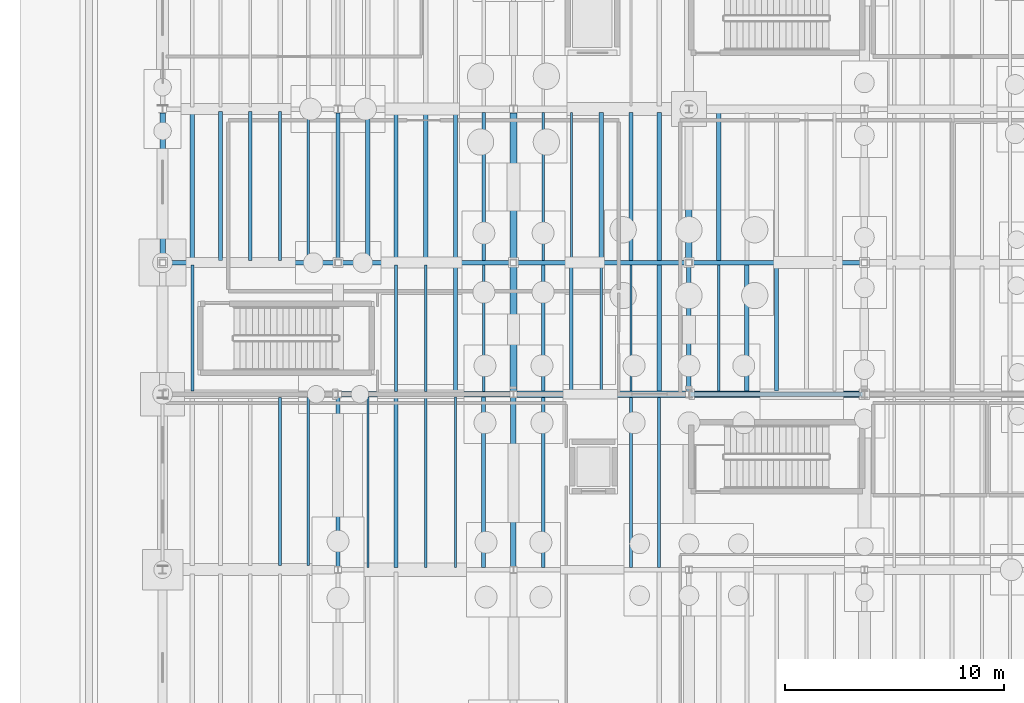
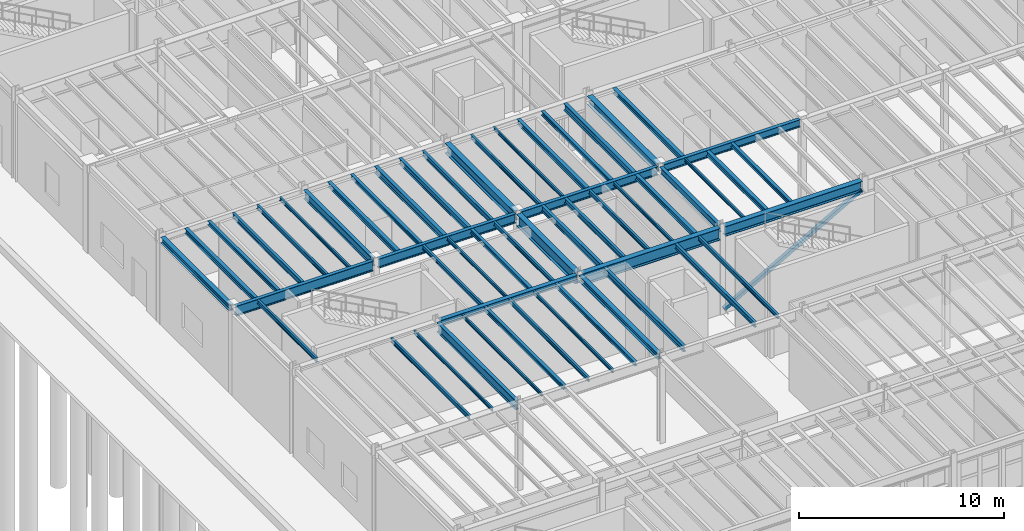
# One storey, part 26 of 86: 54 beams, 1 member.
"""IFC4 building model written with IfcOpenShell, lengths in metres."""

from ifc_helpers import new_model, si_unit, direction, frame, origin, origin_2d, place, context, subcontext, project, spatial, hollow_rectangle, i_section, extrude, material, material_profile, profile_set, type_object, element, save


model = new_model("IFC4")

# Units and contexts
model_context = context("Model", 3, precision=1e-05, world=origin(), true_north=direction((0.0, 1.0)))
body_context = subcontext(model_context, "Body", "Model", "MODEL_VIEW")
ifc_project = project(units=[si_unit("LENGTHUNIT", "METRE"), si_unit("AREAUNIT", "SQUARE_METRE"), si_unit("VOLUMEUNIT", "CUBIC_METRE"), si_unit("PLANEANGLEUNIT", "RADIAN"), si_unit("MASSUNIT", "GRAM", prefix="KILO"), si_unit("THERMODYNAMICTEMPERATUREUNIT", "KELVIN"), si_unit("POWERUNIT", "WATT")], contexts=[model_context])

# Site, building, storey
site_placement = place(None, origin())
site = spatial("IfcSite", under=ifc_project, at=site_placement, CompositionType="ELEMENT")
building_placement = place(site_placement, origin())
building = spatial("IfcBuilding", under=site, at=building_placement, Name="Zhenchuan Central Fire Station", CompositionType="ELEMENT")
storey_placement = place(building_placement, frame((0.0, 0.0, 0.449951171875)))
storey = spatial("IfcBuildingStorey", under=building, at=storey_placement, Name="L01", CompositionType="ELEMENT", Elevation=0.449951171875)

# Beams
ifc_material = material(Name="Steel Q355B", Category="steel")
ifc_material_profile_1 = material_profile(ifc_material, i_section(OverallWidth=0.25, OverallDepth=0.340087890625, WebThickness=0.009033203125, FlangeThickness=0.013916015625, FilletRadius=0.01806640625, at=origin_2d()), Name="HM 340x250")
ifc_profile_set_1 = profile_set([ifc_material_profile_1], Name="Steel Q355B")
beam_type_1 = type_object("IfcBeamType", Name="BM-HM340", PredefinedType="BEAM", material=ifc_profile_set_1)
for number, where, z_axis, x_axis, name in (
    (1, (8.14990234375, 22.5, 4.989990234375), (1.0, 0.0, 0.0), (0.0, 1.0, 0.0), "L02 Girder EW 0037"),
    (2, (16.0, 14.64990234375, 4.989990234375), (0.0, 1.0, 0.0), (-1.0, 0.0, 0.0), "L02 Girder NS 0119"),
):
    element("IfcBeam", number, at=place(storey_placement, frame(where, z_axis=z_axis, x_axis=x_axis)), inside=storey, type_object=beam_type_1, Name=name, PredefinedType="BEAM", context=body_context, shape_type="SweptSolid", body=[
        extrude(i_section(OverallWidth=0.25, OverallDepth=0.340087890625, WebThickness=0.009033203125, FlangeThickness=0.013916015625, FilletRadius=0.01806640625, at=origin_2d()), origin(), (0.0, 0.0, 1.0), 7.7001953125),
    ])
ifc_material_profile_2 = material_profile(ifc_material, i_section(OverallWidth=0.25, OverallDepth=0.340087890625, WebThickness=0.009033203125, FlangeThickness=0.013916015625, FilletRadius=0.01806640625, at=origin_2d()), Name="HM 340x250")
ifc_profile_set_2 = profile_set([ifc_material_profile_2], Name="Steel Q355B")
beam_type_2 = type_object("IfcBeamType", Name="BM-HM340-EXT", PredefinedType="BEAM", material=ifc_profile_set_2)
beam_1_placement = place(storey_placement, frame((0.0, 28.64990234375, 4.989990234375), z_axis=(0.0, 1.0, 0.0), x_axis=(-1.0, 0.0, 0.0)))
element("IfcBeam", 3, at=beam_1_placement, inside=storey, type_object=beam_type_2, Name="L02 Girder NS 0108", PredefinedType="BEAM", context=body_context, shape_type="SweptSolid", body=[
    extrude(i_section(OverallWidth=0.25, OverallDepth=0.340087890625, WebThickness=0.009033203125, FlangeThickness=0.013916015625, FilletRadius=0.01806640625, at=origin_2d()), origin(), (0.0, 0.0, 1.0), 6.675048828125),
])
ifc_material_profile_3 = material_profile(ifc_material, i_section(OverallWidth=0.300048828125, OverallDepth=0.5, WebThickness=0.010986328125, FlangeThickness=0.01806640625, FilletRadius=0.02197265625, at=origin_2d()), Name="HM 500x300")
ifc_profile_set_3 = profile_set([ifc_material_profile_3], Name="Steel Q355B")
beam_type_3 = type_object("IfcBeamType", Name="BM-HM500-INT", PredefinedType="BEAM", material=ifc_profile_set_3)
beam_2_placement = place(storey_placement, frame((24.0, 28.64990234375, 4.91015625), z_axis=(0.0, 1.0, 0.0), x_axis=(-1.0, 0.0, 0.0)))
element("IfcBeam", 4, at=beam_2_placement, inside=storey, type_object=beam_type_3, Name="L02 Girder NS 0127", PredefinedType="BEAM", context=body_context, shape_type="SweptSolid", body=[
    extrude(i_section(OverallWidth=0.300048828125, OverallDepth=0.5, WebThickness=0.010986328125, FlangeThickness=0.01806640625, FilletRadius=0.02197265625, at=origin_2d()), origin(), (0.0, 0.0, 1.0), 6.675048828125),
])
ifc_material_profile_4 = material_profile(ifc_material, i_section(OverallWidth=0.300048828125, OverallDepth=0.587890625, WebThickness=0.011962890625, FlangeThickness=0.02001953125, FilletRadius=0.02392578125, at=origin_2d()), Name="HM 588x300")
ifc_profile_set_4 = profile_set([ifc_material_profile_4], Name="Steel Q355B")
beam_type_4 = type_object("IfcBeamType", Name="BM-HM588", PredefinedType="BEAM", material=ifc_profile_set_4)
beam_3_placement = place(storey_placement, frame((24.14990234375, 22.5, 4.865966796875), z_axis=(1.0, 0.0, 0.0), x_axis=(0.0, 1.0, 0.0)))
element("IfcBeam", 5, at=beam_3_placement, inside=storey, type_object=beam_type_4, Name="L02 Girder EW 0039", PredefinedType="BEAM", context=body_context, shape_type="SweptSolid", body=[
    extrude(i_section(OverallWidth=0.300048828125, OverallDepth=0.587890625, WebThickness=0.011962890625, FlangeThickness=0.02001953125, FilletRadius=0.02392578125, at=origin_2d()), origin(), (0.0, 0.0, 1.0), 7.7001953125),
])
beam_4_placement = place(storey_placement, frame((16.0, 28.64990234375, 4.865966796875), z_axis=(0.0, 1.0, 0.0), x_axis=(-1.0, 0.0, 0.0)))
element("IfcBeam", 6, at=beam_4_placement, inside=storey, type_object=beam_type_4, Name="L02 Girder NS 0121", PredefinedType="BEAM", context=body_context, shape_type="SweptSolid", body=[
    extrude(i_section(OverallWidth=0.300048828125, OverallDepth=0.587890625, WebThickness=0.011962890625, FlangeThickness=0.02001953125, FilletRadius=0.02392578125, at=origin_2d()), origin(), (0.0, 0.0, 1.0), 6.675048828125),
])
ifc_material_profile_5 = material_profile(ifc_material, i_section(OverallWidth=0.199951171875, OverallDepth=0.449951171875, WebThickness=0.009033203125, FlangeThickness=0.013916015625, FilletRadius=0.01806640625, at=origin_2d()), Name="HN 450x200")
ifc_profile_set_5 = profile_set([ifc_material_profile_5], Name="Steel Q355B")
beam_type_5 = type_object("IfcBeamType", Name="BM-HN450", PredefinedType="BEAM", material=ifc_profile_set_5)
beam_5_placement = place(storey_placement, frame((24.14990234375, 28.5, 4.93505859375), z_axis=(1.0, 0.0, 0.0), x_axis=(0.0, 1.0, 0.0)))
element("IfcBeam", 7, at=beam_5_placement, inside=storey, type_object=beam_type_5, Name="L02 Girder EW 0047", PredefinedType="BEAM", context=body_context, shape_type="SweptSolid", body=[
    extrude(i_section(OverallWidth=0.199951171875, OverallDepth=0.449951171875, WebThickness=0.009033203125, FlangeThickness=0.013916015625, FilletRadius=0.01806640625, at=origin_2d()), origin(), (0.0, 0.0, 1.0), 7.7001953125),
])
beam_6_placement = place(storey_placement, frame((24.0, 22.64990234375, 4.93505859375), z_axis=(0.0, 1.0, 0.0), x_axis=(-1.0, 0.0, 0.0)))
element("IfcBeam", 8, at=beam_6_placement, inside=storey, type_object=beam_type_5, Name="L02 Girder NS 0126", PredefinedType="BEAM", context=body_context, shape_type="SweptSolid", body=[
    extrude(i_section(OverallWidth=0.199951171875, OverallDepth=0.449951171875, WebThickness=0.009033203125, FlangeThickness=0.013916015625, FilletRadius=0.01806640625, at=origin_2d()), origin(), (0.0, 0.0, 1.0), 5.7001953125),
])
ifc_material_profile_6 = material_profile(ifc_material, i_section(OverallWidth=0.199951171875, OverallDepth=0.5, WebThickness=0.010009765625, FlangeThickness=0.01611328125, FilletRadius=0.02001953125, at=origin_2d()), Name="HN 500x200")
ifc_profile_set_6 = profile_set([ifc_material_profile_6], Name="Steel Q355B")
beam_type_6 = type_object("IfcBeamType", Name="BM-HN500-INT", PredefinedType="BEAM", material=ifc_profile_set_6)
beam_7_placement = place(storey_placement, frame((16.14990234375, 28.5, 4.91015625), z_axis=(1.0, 0.0, 0.0), x_axis=(0.0, 1.0, 0.0)))
element("IfcBeam", 9, at=beam_7_placement, inside=storey, type_object=beam_type_6, Name="L02 Girder EW 0046", PredefinedType="BEAM", context=body_context, shape_type="SweptSolid", body=[
    extrude(i_section(OverallWidth=0.199951171875, OverallDepth=0.5, WebThickness=0.010009765625, FlangeThickness=0.01611328125, FilletRadius=0.02001953125, at=origin_2d()), origin(), (0.0, 0.0, 1.0), 7.7001953125),
])
beam_8_placement = place(storey_placement, frame((8.0, 28.64990234375, 4.91015625), z_axis=(0.0, 1.0, 0.0), x_axis=(-1.0, 0.0, 0.0)))
element("IfcBeam", 10, at=beam_8_placement, inside=storey, type_object=beam_type_6, Name="L02 Girder NS 0114", PredefinedType="BEAM", context=body_context, shape_type="SweptSolid", body=[
    extrude(i_section(OverallWidth=0.199951171875, OverallDepth=0.5, WebThickness=0.010009765625, FlangeThickness=0.01611328125, FilletRadius=0.02001953125, at=origin_2d()), origin(), (0.0, 0.0, 1.0), 6.675048828125),
])
ifc_material_profile_7 = material_profile(ifc_material, i_section(OverallWidth=0.199951171875, OverallDepth=0.550048828125, WebThickness=0.010009765625, FlangeThickness=0.01611328125, FilletRadius=0.02001953125, at=origin_2d()), Name="HN 550x200")
ifc_profile_set_7 = profile_set([ifc_material_profile_7], Name="Steel Q355B")
beam_type_7 = type_object("IfcBeamType", Name="BM-HN550-INT", PredefinedType="BEAM", material=ifc_profile_set_7)
for number, where, z_axis, x_axis, name in (
    (11, (8.14990234375, 28.5, 4.885009765625), (1.0, 0.0, 0.0), (0.0, 1.0, 0.0), "L02 Girder EW 0045"),
    (12, (8.0, 14.64990234375, 4.885009765625), (0.0, 1.0, 0.0), (-1.0, 0.0, 0.0), "L02 Girder NS 0113"),
):
    element("IfcBeam", number, at=place(storey_placement, frame(where, z_axis=z_axis, x_axis=x_axis)), inside=storey, type_object=beam_type_7, Name=name, PredefinedType="BEAM", context=body_context, shape_type="SweptSolid", body=[
        extrude(i_section(OverallWidth=0.199951171875, OverallDepth=0.550048828125, WebThickness=0.010009765625, FlangeThickness=0.01611328125, FilletRadius=0.02001953125, at=origin_2d()), origin(), (0.0, 0.0, 1.0), 7.7001953125),
    ])
ifc_material_profile_8 = material_profile(ifc_material, i_section(OverallWidth=0.199951171875, OverallDepth=0.60009765625, WebThickness=0.010986328125, FlangeThickness=0.01708984375, FilletRadius=0.02197265625, at=origin_2d()), Name="HN 600x200")
ifc_profile_set_8 = profile_set([ifc_material_profile_8], Name="Steel Q355B")
beam_type_8 = type_object("IfcBeamType", Name="BM-HN600-INT", PredefinedType="BEAM", material=ifc_profile_set_8)
beam_9_placement = place(storey_placement, frame((0.14990234375, 28.5, 4.860107421875), z_axis=(1.0, 0.0, 0.0), x_axis=(0.0, 1.0, 0.0)))
element("IfcBeam", 13, at=beam_9_placement, inside=storey, type_object=beam_type_8, Name="L02 Girder EW 0044", PredefinedType="BEAM", context=body_context, shape_type="SweptSolid", body=[
    extrude(i_section(OverallWidth=0.199951171875, OverallDepth=0.60009765625, WebThickness=0.010986328125, FlangeThickness=0.01708984375, FilletRadius=0.02197265625, at=origin_2d()), origin(), (0.0, 0.0, 1.0), 7.7001953125),
])
ifc_material_profile_9 = material_profile(ifc_material, i_section(OverallWidth=0.300048828125, OverallDepth=0.699951171875, WebThickness=0.012939453125, FlangeThickness=0.02392578125, FilletRadius=0.02392578125, at=origin_2d()), Name="HN 700x300")
ifc_profile_set_9 = profile_set([ifc_material_profile_9], Name="Steel Q355B")
beam_type_9 = type_object("IfcBeamType", Name="BM-HN700", PredefinedType="BEAM", material=ifc_profile_set_9)
beam_10_placement = place(storey_placement, frame((16.14990234375, 22.5, 4.81005859375), z_axis=(1.0, 0.0, 0.0), x_axis=(0.0, 1.0, 0.0)))
element("IfcBeam", 14, at=beam_10_placement, inside=storey, type_object=beam_type_9, Name="L02 Girder EW 0038", PredefinedType="BEAM", context=body_context, shape_type="SweptSolid", body=[
    extrude(i_section(OverallWidth=0.300048828125, OverallDepth=0.699951171875, WebThickness=0.012939453125, FlangeThickness=0.02392578125, FilletRadius=0.02392578125, at=origin_2d()), origin(), (0.0, 0.0, 1.0), 7.7001953125),
])
beam_11_placement = place(storey_placement, frame((16.0, 22.64990234375, 4.81005859375), z_axis=(0.0, 1.0, 0.0), x_axis=(-1.0, 0.0, 0.0)))
element("IfcBeam", 15, at=beam_11_placement, inside=storey, type_object=beam_type_9, Name="L02 Girder NS 0120", PredefinedType="BEAM", context=body_context, shape_type="SweptSolid", body=[
    extrude(i_section(OverallWidth=0.300048828125, OverallDepth=0.699951171875, WebThickness=0.012939453125, FlangeThickness=0.02392578125, FilletRadius=0.02392578125, at=origin_2d()), origin(), (0.0, 0.0, 1.0), 5.7001953125),
])
ifc_material_profile_10 = material_profile(ifc_material, i_section(OverallWidth=0.175048828125, OverallDepth=0.243896484375, WebThickness=0.007080078125, FlangeThickness=0.010986328125, FilletRadius=0.012939453125, at=origin_2d()), Name="HM 244x175")
ifc_profile_set_10 = profile_set([ifc_material_profile_10], Name="Steel Q355B")
beam_type_10 = type_object("IfcBeamType", Name="JS-HM244", PredefinedType="JOIST", material=ifc_profile_set_10)
for number, where, z_axis, x_axis, name in (
    (16, (10.639892578125, 14.596923828125, 5.0380859375), (0.0, 1.0, 0.0), (-1.0, 0.0, 0.0), "L02 Secondary Joist 0075"),
    (17, (14.639892578125, 14.596923828125, 5.0380859375), (0.0, 1.0, 0.0), (-1.0, 0.0, 0.0), "L02 Secondary Joist 0078"),
):
    element("IfcBeam", number, at=place(storey_placement, frame(where, z_axis=z_axis, x_axis=x_axis)), inside=storey, type_object=beam_type_10, Name=name, PredefinedType="JOIST", context=body_context, shape_type="SweptSolid", body=[
        extrude(i_section(OverallWidth=0.175048828125, OverallDepth=0.243896484375, WebThickness=0.007080078125, FlangeThickness=0.010986328125, FilletRadius=0.012939453125, at=origin_2d()), origin(), (0.0, 0.0, 1.0), 7.781005859375),
    ])
beam_12_placement = place(storey_placement, frame((13.360107421875, 22.6220703125, 5.0380859375), z_axis=(0.0, 1.0, 0.0), x_axis=(-1.0, 0.0, 0.0)))
element("IfcBeam", 18, at=beam_12_placement, inside=storey, type_object=beam_type_10, Name="L02 Secondary Joist 0105", PredefinedType="JOIST", context=body_context, shape_type="SweptSolid", body=[
    extrude(i_section(OverallWidth=0.175048828125, OverallDepth=0.243896484375, WebThickness=0.007080078125, FlangeThickness=0.010986328125, FilletRadius=0.012939453125, at=origin_2d()), origin(), (0.0, 0.0, 1.0), 5.781005859375),
])
beam_13_placement = place(storey_placement, frame((28.0, 22.64697265625, 5.0380859375), z_axis=(0.0, 1.0, 0.0), x_axis=(-1.0, 0.0, 0.0)))
element("IfcBeam", 19, at=beam_13_placement, inside=storey, type_object=beam_type_10, Name="L02 Secondary Joist 0114", PredefinedType="JOIST", context=body_context, shape_type="SweptSolid", body=[
    extrude(i_section(OverallWidth=0.175048828125, OverallDepth=0.243896484375, WebThickness=0.007080078125, FlangeThickness=0.010986328125, FilletRadius=0.012939453125, at=origin_2d()), origin(), (0.0, 0.0, 1.0), 5.756103515625),
])
beam_14_placement = place(storey_placement, frame((2.639892578125, 28.596923828125, 5.0380859375), z_axis=(0.0, 1.0, 0.0), x_axis=(-1.0, 0.0, 0.0)))
element("IfcBeam", 20, at=beam_14_placement, inside=storey, type_object=beam_type_10, Name="L02 Secondary Joist 0135", PredefinedType="JOIST", context=body_context, shape_type="SweptSolid", body=[
    extrude(i_section(OverallWidth=0.175048828125, OverallDepth=0.243896484375, WebThickness=0.007080078125, FlangeThickness=0.010986328125, FilletRadius=0.012939453125, at=origin_2d()), origin(), (0.0, 0.0, 1.0), 6.80615234375),
])
for number, where, z_axis, x_axis, name in (
    (21, (10.639892578125, 28.596923828125, 5.0380859375), (0.0, 1.0, 0.0), (-1.0, 0.0, 0.0), "L02 Secondary Joist 0140"),
    (22, (21.360107421875, 28.596923828125, 5.0380859375), (0.0, 1.0, 0.0), (-1.0, 0.0, 0.0), "L02 Secondary Joist 0147"),
):
    element("IfcBeam", number, at=place(storey_placement, frame(where, z_axis=z_axis, x_axis=x_axis)), inside=storey, type_object=beam_type_10, Name=name, PredefinedType="JOIST", context=body_context, shape_type="SweptSolid", body=[
        extrude(i_section(OverallWidth=0.175048828125, OverallDepth=0.243896484375, WebThickness=0.007080078125, FlangeThickness=0.010986328125, FilletRadius=0.012939453125, at=origin_2d()), origin(), (0.0, 0.0, 1.0), 6.756103515625),
    ])
ifc_material_profile_11 = material_profile(ifc_material, i_section(OverallWidth=0.199951171875, OverallDepth=0.2939453125, WebThickness=0.008056640625, FlangeThickness=0.011962890625, FilletRadius=0.01611328125, at=origin_2d()), Name="HM 294x200")
ifc_profile_set_11 = profile_set([ifc_material_profile_11], Name="Steel Q355B")
beam_type_11 = type_object("IfcBeamType", Name="JS-HM294", PredefinedType="JOIST", material=ifc_profile_set_11)
for number, where, z_axis, x_axis, name in (
    (23, (22.639892578125, 22.64697265625, 5.012939453125), (0.0, 1.0, 0.0), (-1.0, 0.0, 0.0), "L02 Secondary Joist 0111"),
    (24, (26.639892578125, 22.64697265625, 5.012939453125), (0.0, 1.0, 0.0), (-1.0, 0.0, 0.0), "L02 Secondary Joist 0113"),
):
    element("IfcBeam", number, at=place(storey_placement, frame(where, z_axis=z_axis, x_axis=x_axis)), inside=storey, type_object=beam_type_11, Name=name, PredefinedType="JOIST", context=body_context, shape_type="SweptSolid", body=[
        extrude(i_section(OverallWidth=0.199951171875, OverallDepth=0.2939453125, WebThickness=0.008056640625, FlangeThickness=0.011962890625, FilletRadius=0.01611328125, at=origin_2d()), origin(), (0.0, 0.0, 1.0), 5.756103515625),
    ])
beam_15_placement = place(storey_placement, frame((1.360107421875, 28.596923828125, 5.012939453125), z_axis=(0.0, 1.0, 0.0), x_axis=(-1.0, 0.0, 0.0)))
element("IfcBeam", 25, at=beam_15_placement, inside=storey, type_object=beam_type_11, Name="L02 Secondary Joist 0134", PredefinedType="JOIST", context=body_context, shape_type="SweptSolid", body=[
    extrude(i_section(OverallWidth=0.199951171875, OverallDepth=0.2939453125, WebThickness=0.008056640625, FlangeThickness=0.011962890625, FilletRadius=0.01611328125, at=origin_2d()), origin(), (0.0, 0.0, 1.0), 6.80615234375),
])
for number, where, z_axis, x_axis, name in (
    (26, (9.360107421875, 28.596923828125, 5.012939453125), (0.0, 1.0, 0.0), (-1.0, 0.0, 0.0), "L02 Secondary Joist 0139"),
    (27, (20.0, 28.596923828125, 5.012939453125), (0.0, 1.0, 0.0), (-1.0, 0.0, 0.0), "L02 Secondary Joist 0146"),
):
    element("IfcBeam", number, at=place(storey_placement, frame(where, z_axis=z_axis, x_axis=x_axis)), inside=storey, type_object=beam_type_11, Name=name, PredefinedType="JOIST", context=body_context, shape_type="SweptSolid", body=[
        extrude(i_section(OverallWidth=0.199951171875, OverallDepth=0.2939453125, WebThickness=0.008056640625, FlangeThickness=0.011962890625, FilletRadius=0.01611328125, at=origin_2d()), origin(), (0.0, 0.0, 1.0), 6.756103515625),
    ])
beam_16_placement = place(storey_placement, frame((25.360107421875, 28.596923828125, 5.012939453125), z_axis=(0.0, 1.0, 0.0), x_axis=(-1.0, 0.0, 0.0)))
element("IfcBeam", 28, at=beam_16_placement, inside=storey, type_object=beam_type_11, Name="L02 Secondary Joist 0149", PredefinedType="JOIST", context=body_context, shape_type="SweptSolid", body=[
    extrude(i_section(OverallWidth=0.199951171875, OverallDepth=0.2939453125, WebThickness=0.008056640625, FlangeThickness=0.011962890625, FilletRadius=0.01611328125, at=origin_2d()), origin(), (0.0, 0.0, 1.0), 6.716064453125),
])
ifc_material_profile_12 = material_profile(ifc_material, i_section(OverallWidth=0.10009765625, OverallDepth=0.199951171875, WebThickness=0.005615234375, FlangeThickness=0.008056640625, FilletRadius=0.010986328125, at=origin_2d()), Name="HN 200x100")
ifc_profile_set_12 = profile_set([ifc_material_profile_12], Name="Steel Q355B")
beam_type_12 = type_object("IfcBeamType", Name="JS-HN200", PredefinedType="JOIST", material=ifc_profile_set_12)
beam_17_placement = place(storey_placement, frame((6.639892578125, 14.68701171875, 5.06005859375), z_axis=(0.0, 1.0, 0.0), x_axis=(-1.0, 0.0, 0.0)))
element("IfcBeam", 29, at=beam_17_placement, inside=storey, type_object=beam_type_12, Name="L02 Secondary Joist 0073", PredefinedType="JOIST", context=body_context, shape_type="SweptSolid", body=[
    extrude(i_section(OverallWidth=0.10009765625, OverallDepth=0.199951171875, WebThickness=0.005615234375, FlangeThickness=0.008056640625, FilletRadius=0.010986328125, at=origin_2d()), origin(), (0.0, 0.0, 1.0), 7.666015625),
])
for number, where, z_axis, x_axis, name in (
    (30, (9.360107421875, 14.596923828125, 5.06005859375), (0.0, 1.0, 0.0), (-1.0, 0.0, 0.0), "L02 Secondary Joist 0074"),
    (31, (13.360107421875, 14.596923828125, 5.06005859375), (0.0, 1.0, 0.0), (-1.0, 0.0, 0.0), "L02 Secondary Joist 0077"),
):
    element("IfcBeam", number, at=place(storey_placement, frame(where, z_axis=z_axis, x_axis=x_axis)), inside=storey, type_object=beam_type_12, Name=name, PredefinedType="JOIST", context=body_context, shape_type="SweptSolid", body=[
        extrude(i_section(OverallWidth=0.10009765625, OverallDepth=0.199951171875, WebThickness=0.005615234375, FlangeThickness=0.008056640625, FilletRadius=0.010986328125, at=origin_2d()), origin(), (0.0, 0.0, 1.0), 7.781005859375),
    ])
beam_18_placement = place(storey_placement, frame((12.0, 22.6220703125, 5.06005859375), z_axis=(0.0, 1.0, 0.0), x_axis=(-1.0, 0.0, 0.0)))
element("IfcBeam", 32, at=beam_18_placement, inside=storey, type_object=beam_type_12, Name="L02 Secondary Joist 0104", PredefinedType="JOIST", context=body_context, shape_type="SweptSolid", body=[
    extrude(i_section(OverallWidth=0.10009765625, OverallDepth=0.199951171875, WebThickness=0.005615234375, FlangeThickness=0.008056640625, FilletRadius=0.010986328125, at=origin_2d()), origin(), (0.0, 0.0, 1.0), 5.781005859375),
])
for number, where, z_axis, x_axis, name in (
    (33, (21.360107421875, 22.64697265625, 5.06005859375), (0.0, 1.0, 0.0), (-1.0, 0.0, 0.0), "L02 Secondary Joist 0110"),
    (34, (25.360107421875, 22.64697265625, 5.06005859375), (0.0, 1.0, 0.0), (-1.0, 0.0, 0.0), "L02 Secondary Joist 0112"),
):
    element("IfcBeam", number, at=place(storey_placement, frame(where, z_axis=z_axis, x_axis=x_axis)), inside=storey, type_object=beam_type_12, Name=name, PredefinedType="JOIST", context=body_context, shape_type="SweptSolid", body=[
        extrude(i_section(OverallWidth=0.10009765625, OverallDepth=0.199951171875, WebThickness=0.005615234375, FlangeThickness=0.008056640625, FilletRadius=0.010986328125, at=origin_2d()), origin(), (0.0, 0.0, 1.0), 5.756103515625),
    ])
beam_19_placement = place(storey_placement, frame((6.639892578125, 28.596923828125, 5.06005859375), z_axis=(0.0, 1.0, 0.0), x_axis=(-1.0, 0.0, 0.0)))
element("IfcBeam", 35, at=beam_19_placement, inside=storey, type_object=beam_type_12, Name="L02 Secondary Joist 0138", PredefinedType="JOIST", context=body_context, shape_type="SweptSolid", body=[
    extrude(i_section(OverallWidth=0.10009765625, OverallDepth=0.199951171875, WebThickness=0.005615234375, FlangeThickness=0.008056640625, FilletRadius=0.010986328125, at=origin_2d()), origin(), (0.0, 0.0, 1.0), 6.80615234375),
])
beam_20_placement = place(storey_placement, frame((18.639892578125, 28.596923828125, 5.06005859375), z_axis=(0.0, 1.0, 0.0), x_axis=(-1.0, 0.0, 0.0)))
element("IfcBeam", 36, at=beam_20_placement, inside=storey, type_object=beam_type_12, Name="L02 Secondary Joist 0145", PredefinedType="JOIST", context=body_context, shape_type="SweptSolid", body=[
    extrude(i_section(OverallWidth=0.10009765625, OverallDepth=0.199951171875, WebThickness=0.005615234375, FlangeThickness=0.008056640625, FilletRadius=0.010986328125, at=origin_2d()), origin(), (0.0, 0.0, 1.0), 6.756103515625),
])
ifc_material_profile_13 = material_profile(ifc_material, i_section(OverallWidth=0.125, OverallDepth=0.25, WebThickness=0.006103515625, FlangeThickness=0.009033203125, FilletRadius=0.011962890625, at=origin_2d()), Name="HN 250x125")
ifc_profile_set_13 = profile_set([ifc_material_profile_13], Name="Steel Q355B")
beam_type_13 = type_object("IfcBeamType", Name="JS-HN250", PredefinedType="JOIST", material=ifc_profile_set_13)
beam_21_placement = place(storey_placement, frame((5.360107421875, 14.68701171875, 5.03515625), z_axis=(0.0, 1.0, 0.0), x_axis=(-1.0, 0.0, 0.0)))
element("IfcBeam", 37, at=beam_21_placement, inside=storey, type_object=beam_type_13, Name="L02 Secondary Joist 0072", PredefinedType="JOIST", context=body_context, shape_type="SweptSolid", body=[
    extrude(i_section(OverallWidth=0.125, OverallDepth=0.25, WebThickness=0.006103515625, FlangeThickness=0.009033203125, FilletRadius=0.011962890625, at=origin_2d()), origin(), (0.0, 0.0, 1.0), 7.666015625),
])
beam_22_placement = place(storey_placement, frame((12.0, 14.596923828125, 5.03515625), z_axis=(0.0, 1.0, 0.0), x_axis=(-1.0, 0.0, 0.0)))
element("IfcBeam", 38, at=beam_22_placement, inside=storey, type_object=beam_type_13, Name="L02 Secondary Joist 0076", PredefinedType="JOIST", context=body_context, shape_type="SweptSolid", body=[
    extrude(i_section(OverallWidth=0.125, OverallDepth=0.25, WebThickness=0.006103515625, FlangeThickness=0.009033203125, FilletRadius=0.011962890625, at=origin_2d()), origin(), (0.0, 0.0, 1.0), 7.781005859375),
])
beam_23_placement = place(storey_placement, frame((22.639892578125, 14.596923828125, 5.03515625), z_axis=(0.0, 1.0, 0.0), x_axis=(-1.0, 0.0, 0.0)))
element("IfcBeam", 39, at=beam_23_placement, inside=storey, type_object=beam_type_13, Name="L02 Secondary Joist 0081", PredefinedType="JOIST", context=body_context, shape_type="SweptSolid", body=[
    extrude(i_section(OverallWidth=0.125, OverallDepth=0.25, WebThickness=0.006103515625, FlangeThickness=0.009033203125, FilletRadius=0.011962890625, at=origin_2d()), origin(), (0.0, 0.0, 1.0), 7.756103515625),
])
beam_24_placement = place(storey_placement, frame((1.360107421875, 22.64697265625, 5.03515625), z_axis=(0.0, 1.0, 0.0), x_axis=(-1.0, 0.0, 0.0)))
element("IfcBeam", 40, at=beam_24_placement, inside=storey, type_object=beam_type_13, Name="L02 Secondary Joist 0102", PredefinedType="JOIST", context=body_context, shape_type="SweptSolid", body=[
    extrude(i_section(OverallWidth=0.125, OverallDepth=0.25, WebThickness=0.006103515625, FlangeThickness=0.009033203125, FilletRadius=0.011962890625, at=origin_2d()), origin(), (0.0, 0.0, 1.0), 5.756103515625),
])
for number, where, z_axis, x_axis, name in (
    (41, (10.639892578125, 22.6220703125, 5.03515625), (0.0, 1.0, 0.0), (-1.0, 0.0, 0.0), "L02 Secondary Joist 0103"),
    (42, (14.639892578125, 22.6220703125, 5.03515625), (0.0, 1.0, 0.0), (-1.0, 0.0, 0.0), "L02 Secondary Joist 0106"),
):
    element("IfcBeam", number, at=place(storey_placement, frame(where, z_axis=z_axis, x_axis=x_axis)), inside=storey, type_object=beam_type_13, Name=name, PredefinedType="JOIST", context=body_context, shape_type="SweptSolid", body=[
        extrude(i_section(OverallWidth=0.125, OverallDepth=0.25, WebThickness=0.006103515625, FlangeThickness=0.009033203125, FilletRadius=0.011962890625, at=origin_2d()), origin(), (0.0, 0.0, 1.0), 5.781005859375),
    ])
beam_25_placement = place(storey_placement, frame((20.0, 22.64697265625, 5.03515625), z_axis=(0.0, 1.0, 0.0), x_axis=(-1.0, 0.0, 0.0)))
element("IfcBeam", 43, at=beam_25_placement, inside=storey, type_object=beam_type_13, Name="L02 Secondary Joist 0109", PredefinedType="JOIST", context=body_context, shape_type="SweptSolid", body=[
    extrude(i_section(OverallWidth=0.125, OverallDepth=0.25, WebThickness=0.006103515625, FlangeThickness=0.009033203125, FilletRadius=0.011962890625, at=origin_2d()), origin(), (0.0, 0.0, 1.0), 5.756103515625),
])
beam_26_placement = place(storey_placement, frame((5.360107421875, 28.596923828125, 5.03515625), z_axis=(0.0, 1.0, 0.0), x_axis=(-1.0, 0.0, 0.0)))
element("IfcBeam", 44, at=beam_26_placement, inside=storey, type_object=beam_type_13, Name="L02 Secondary Joist 0137", PredefinedType="JOIST", context=body_context, shape_type="SweptSolid", body=[
    extrude(i_section(OverallWidth=0.125, OverallDepth=0.25, WebThickness=0.006103515625, FlangeThickness=0.009033203125, FilletRadius=0.011962890625, at=origin_2d()), origin(), (0.0, 0.0, 1.0), 6.80615234375),
])
beam_27_placement = place(storey_placement, frame((17.360107421875, 28.596923828125, 5.03515625), z_axis=(0.0, 1.0, 0.0), x_axis=(-1.0, 0.0, 0.0)))
element("IfcBeam", 45, at=beam_27_placement, inside=storey, type_object=beam_type_13, Name="L02 Secondary Joist 0144", PredefinedType="JOIST", context=body_context, shape_type="SweptSolid", body=[
    extrude(i_section(OverallWidth=0.125, OverallDepth=0.25, WebThickness=0.006103515625, FlangeThickness=0.009033203125, FilletRadius=0.011962890625, at=origin_2d()), origin(), (0.0, 0.0, 1.0), 6.756103515625),
])
ifc_material_profile_14 = material_profile(ifc_material, i_section(OverallWidth=0.14990234375, OverallDepth=0.300048828125, WebThickness=0.006591796875, FlangeThickness=0.009033203125, FilletRadius=0.012939453125, at=origin_2d()), Name="HN 300x150")
ifc_profile_set_14 = profile_set([ifc_material_profile_14], Name="Steel Q355B")
beam_type_14 = type_object("IfcBeamType", Name="JS-HN300", PredefinedType="JOIST", material=ifc_profile_set_14)
beam_28_placement = place(storey_placement, frame((21.360107421875, 14.596923828125, 5.010009765625), z_axis=(0.0, 1.0, 0.0), x_axis=(-1.0, 0.0, 0.0)))
element("IfcBeam", 46, at=beam_28_placement, inside=storey, type_object=beam_type_14, Name="L02 Secondary Joist 0080", PredefinedType="JOIST", context=body_context, shape_type="SweptSolid", body=[
    extrude(i_section(OverallWidth=0.14990234375, OverallDepth=0.300048828125, WebThickness=0.006591796875, FlangeThickness=0.009033203125, FilletRadius=0.012939453125, at=origin_2d()), origin(), (0.0, 0.0, 1.0), 7.756103515625),
])
beam_29_placement = place(storey_placement, frame((18.639892578125, 22.64697265625, 5.010009765625), z_axis=(0.0, 1.0, 0.0), x_axis=(-1.0, 0.0, 0.0)))
element("IfcBeam", 47, at=beam_29_placement, inside=storey, type_object=beam_type_14, Name="L02 Secondary Joist 0108", PredefinedType="JOIST", context=body_context, shape_type="SweptSolid", body=[
    extrude(i_section(OverallWidth=0.14990234375, OverallDepth=0.300048828125, WebThickness=0.006591796875, FlangeThickness=0.009033203125, FilletRadius=0.012939453125, at=origin_2d()), origin(), (0.0, 0.0, 1.0), 5.756103515625),
])
beam_30_placement = place(storey_placement, frame((4.0, 28.596923828125, 5.010009765625), z_axis=(0.0, 1.0, 0.0), x_axis=(-1.0, 0.0, 0.0)))
element("IfcBeam", 48, at=beam_30_placement, inside=storey, type_object=beam_type_14, Name="L02 Secondary Joist 0136", PredefinedType="JOIST", context=body_context, shape_type="SweptSolid", body=[
    extrude(i_section(OverallWidth=0.14990234375, OverallDepth=0.300048828125, WebThickness=0.006591796875, FlangeThickness=0.009033203125, FilletRadius=0.012939453125, at=origin_2d()), origin(), (0.0, 0.0, 1.0), 6.80615234375),
])
beam_31_placement = place(storey_placement, frame((14.639892578125, 28.596923828125, 5.010009765625), z_axis=(0.0, 1.0, 0.0), x_axis=(-1.0, 0.0, 0.0)))
element("IfcBeam", 49, at=beam_31_placement, inside=storey, type_object=beam_type_14, Name="L02 Secondary Joist 0143", PredefinedType="JOIST", context=body_context, shape_type="SweptSolid", body=[
    extrude(i_section(OverallWidth=0.14990234375, OverallDepth=0.300048828125, WebThickness=0.006591796875, FlangeThickness=0.009033203125, FilletRadius=0.012939453125, at=origin_2d()), origin(), (0.0, 0.0, 1.0), 6.756103515625),
])
ifc_material_profile_15 = material_profile(ifc_material, i_section(OverallWidth=0.175048828125, OverallDepth=0.35009765625, WebThickness=0.007080078125, FlangeThickness=0.010986328125, FilletRadius=0.013916015625, at=origin_2d()), Name="HN 350x175")
ifc_profile_set_15 = profile_set([ifc_material_profile_15], Name="Steel Q355B")
beam_type_15 = type_object("IfcBeamType", Name="JS-HN350", PredefinedType="JOIST", material=ifc_profile_set_15)
beam_32_placement = place(storey_placement, frame((17.360107421875, 14.596923828125, 4.985107421875), z_axis=(0.0, 1.0, 0.0), x_axis=(-1.0, 0.0, 0.0)))
element("IfcBeam", 50, at=beam_32_placement, inside=storey, type_object=beam_type_15, Name="L02 Secondary Joist 0079", PredefinedType="JOIST", context=body_context, shape_type="SweptSolid", body=[
    extrude(i_section(OverallWidth=0.175048828125, OverallDepth=0.35009765625, WebThickness=0.007080078125, FlangeThickness=0.010986328125, FilletRadius=0.013916015625, at=origin_2d()), origin(), (0.0, 0.0, 1.0), 7.756103515625),
])
beam_33_placement = place(storey_placement, frame((17.360107421875, 22.64697265625, 4.985107421875), z_axis=(0.0, 1.0, 0.0), x_axis=(-1.0, 0.0, 0.0)))
element("IfcBeam", 51, at=beam_33_placement, inside=storey, type_object=beam_type_15, Name="L02 Secondary Joist 0107", PredefinedType="JOIST", context=body_context, shape_type="SweptSolid", body=[
    extrude(i_section(OverallWidth=0.175048828125, OverallDepth=0.35009765625, WebThickness=0.007080078125, FlangeThickness=0.010986328125, FilletRadius=0.013916015625, at=origin_2d()), origin(), (0.0, 0.0, 1.0), 5.756103515625),
])
beam_34_placement = place(storey_placement, frame((13.360107421875, 28.596923828125, 4.985107421875), z_axis=(0.0, 1.0, 0.0), x_axis=(-1.0, 0.0, 0.0)))
element("IfcBeam", 52, at=beam_34_placement, inside=storey, type_object=beam_type_15, Name="L02 Secondary Joist 0142", PredefinedType="JOIST", context=body_context, shape_type="SweptSolid", body=[
    extrude(i_section(OverallWidth=0.175048828125, OverallDepth=0.35009765625, WebThickness=0.007080078125, FlangeThickness=0.010986328125, FilletRadius=0.013916015625, at=origin_2d()), origin(), (0.0, 0.0, 1.0), 6.756103515625),
])
ifc_material_profile_16 = material_profile(ifc_material, i_section(OverallWidth=0.199951171875, OverallDepth=0.39990234375, WebThickness=0.008056640625, FlangeThickness=0.012939453125, FilletRadius=0.01611328125, at=origin_2d()), Name="HN 400x200")
ifc_profile_set_16 = profile_set([ifc_material_profile_16], Name="Steel Q355B")
beam_type_16 = type_object("IfcBeamType", Name="JS-HN400", PredefinedType="JOIST", material=ifc_profile_set_16)
for number, where, z_axis, x_axis, name in (
    (53, (12.0, 28.596923828125, 4.9599609375), (0.0, 1.0, 0.0), (-1.0, 0.0, 0.0), "L02 Secondary Joist 0141"),
    (54, (22.639892578125, 28.596923828125, 4.9599609375), (0.0, 1.0, 0.0), (-1.0, 0.0, 0.0), "L02 Secondary Joist 0148"),
):
    element("IfcBeam", number, at=place(storey_placement, frame(where, z_axis=z_axis, x_axis=x_axis)), inside=storey, type_object=beam_type_16, Name=name, PredefinedType="JOIST", context=body_context, shape_type="SweptSolid", body=[
        extrude(i_section(OverallWidth=0.199951171875, OverallDepth=0.39990234375, WebThickness=0.008056640625, FlangeThickness=0.012939453125, FilletRadius=0.01611328125, at=origin_2d()), origin(), (0.0, 0.0, 1.0), 6.756103515625),
    ])

# Member
ifc_material_profile_17 = material_profile(ifc_material, hollow_rectangle(XDim=0.199951171875, YDim=0.199951171875, WallThickness=0.010009765625, at=origin_2d()), Name="SHS 200x200x10")
ifc_profile_set_17 = profile_set([ifc_material_profile_17], Name="Steel Q355B")
member_type = type_object("IfcMemberType", Name="MB-BR-SHS200", PredefinedType="BRACE", material=ifc_profile_set_17)
member_placement = place(storey_placement, frame((24.1279296875, 22.5, 0.199951171875), z_axis=(0.869453346489, 0.0, 0.494015058757), x_axis=(0.0, 1.0, 0.0)))
element("IfcMember", 55, at=member_placement, inside=storey, type_object=member_type, Name="Interior Frame Lateral Brace 02", PredefinedType="BRACE", context=body_context, shape_type="SweptSolid", body=[
    extrude(hollow_rectangle(XDim=0.199951171875, YDim=0.199951171875, WallThickness=0.010009765625, at=origin_2d()), origin(), (0.0, 0.0, 1.0), 8.906982421875),
])

save(model, "model.ifc")
